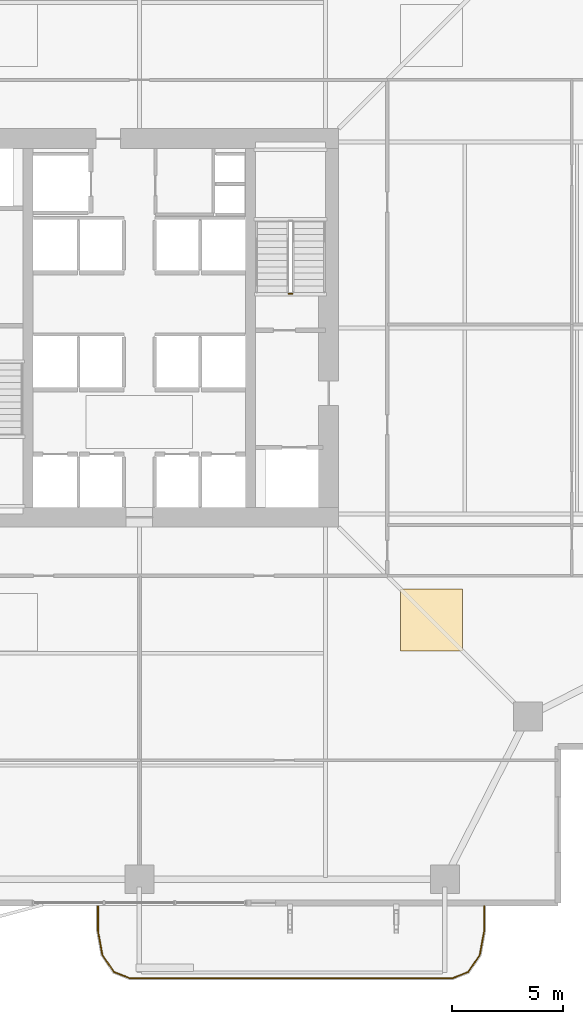
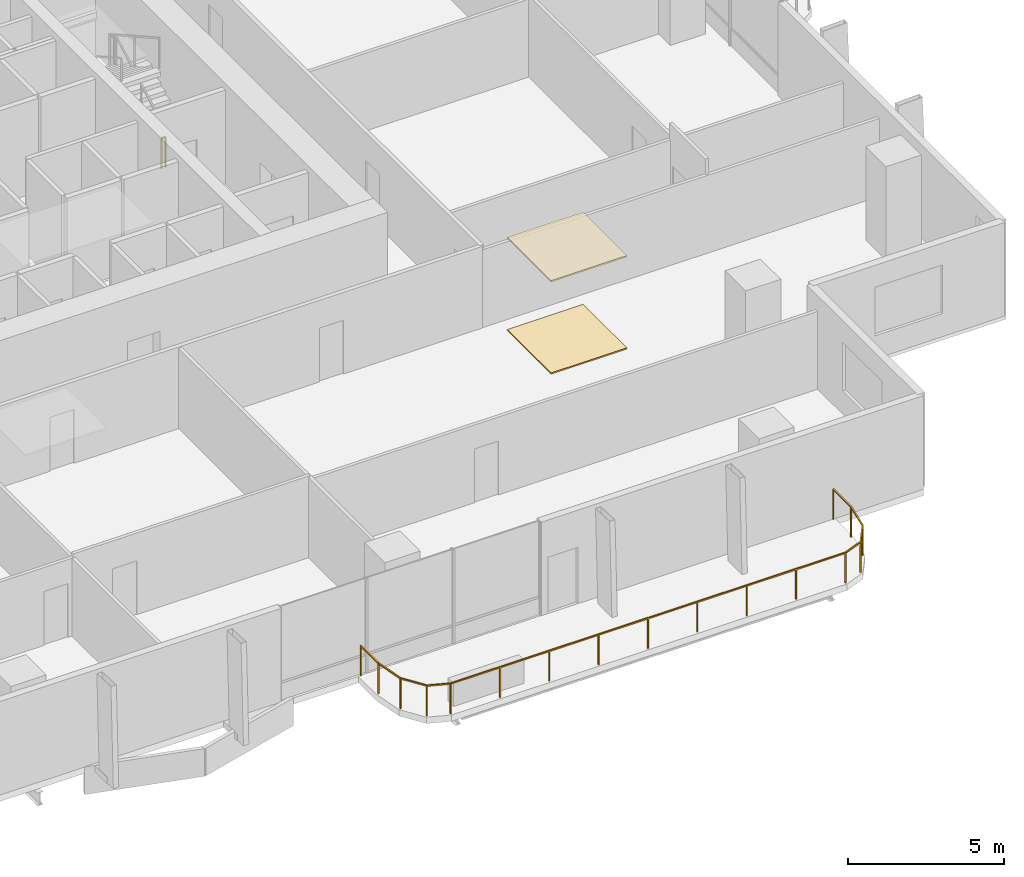
# One storey, part 22 of 24: 2 coverings, 2 railings.
"""IFC4 building model written with IfcOpenShell, lengths in metres."""

from ifc_helpers import new_model, si_unit, direction, frame, origin, origin_2d, place, context, subcontext, project, spatial, polyline, rectangle, outline, extrude, material, layer, layer_set, type_object, element, save


model = new_model("IFC4")

# Units and contexts
model_context = context("Model", 3, precision=1e-05, world=origin(), true_north=direction((0.0, 1.0)))
body_context = subcontext(model_context, "Body", "Model", "MODEL_VIEW")
ifc_project = project(units=[si_unit("LENGTHUNIT", "METRE"), si_unit("AREAUNIT", "SQUARE_METRE"), si_unit("VOLUMEUNIT", "CUBIC_METRE"), si_unit("PLANEANGLEUNIT", "RADIAN"), si_unit("MASSUNIT", "GRAM", prefix="KILO")], contexts=[model_context])

# Site, building, storey
site_placement = place(None, origin())
site = spatial("IfcSite", under=ifc_project, at=site_placement, CompositionType="ELEMENT")
building_placement = place(site_placement, origin())
building = spatial("IfcBuilding", under=site, at=building_placement, Name="Belovzor Exchange Tower", CompositionType="ELEMENT")
storey_placement = place(building_placement, frame((0.0, 0.0, 121.199951171875)))
storey = spatial("IfcBuildingStorey", under=building, at=storey_placement, Name="L29", CompositionType="ELEMENT", Elevation=121.199951171875)

# Railings
ifc_material_1 = material(Name="Stainless Steel and Laminated Safety Glass", Category="steel")
railing_type_1 = type_object("IfcRailingType", Name="Laminated Glass & Stainless Steel Balcony Balustrade 1200", PredefinedType="BALUSTRADE", material=ifc_material_1)
railing_1_placement = place(storey_placement, frame((26.929931640625, 2.68994140625, 0.0)))
element("IfcRailing", 1, at=railing_1_placement, inside=storey, type_object=railing_type_1, Name="GR-1 Balcony Balustrade L29 South", PredefinedType="BALUSTRADE", context=body_context, shape_type="SweptSolid", body=[
    extrude(rectangle(XDim=0.048095703125, YDim=0.048095703125, at=origin_2d()), frame((0.0, 0.0, 1.17578125), z_axis=(0.0, -1.0, 0.0), x_axis=(1.0, 0.0, 0.0)), (0.0, 0.0, 1.0), 1.133056640625),
    extrude(rectangle(XDim=0.048095703125, YDim=0.048095703125, at=origin_2d()), frame((0.0, -1.133056640625, 1.17578125), z_axis=(0.180122719713, -0.983644145941, 0.0), x_axis=(0.983644145941, 0.180122719713, 0.0)), (0.0, 0.0, 1.0), 1.09375),
    extrude(rectangle(XDim=0.048095703125, YDim=0.048095703125, at=origin_2d()), frame((0.197021484375, -2.208984375, 1.17578125), z_axis=(0.56294695933, -0.826493025367, 0.0), x_axis=(0.826493025367, 0.56294695933, 0.0)), (0.0, 0.0, 1.0), 0.932861328125),
    extrude(rectangle(XDim=0.048095703125, YDim=0.048095703125, at=origin_2d()), frame((0.72216796875, -2.97998046875, 1.17578125), z_axis=(0.930766990125, -0.365612923861, 0.0), x_axis=(0.365612923861, 0.930766990125, 0.0)), (0.0, 0.0, 1.0), 0.765869140625),
    extrude(rectangle(XDim=0.048095703125, YDim=0.048095703125, at=origin_2d()), frame((1.43505859375, -3.260009765625, 1.17578125), z_axis=(1.0, 0.0, 0.0), x_axis=(0.0, 1.0, 0.0)), (0.0, 0.0, 1.0), 14.570068359375),
    extrude(rectangle(XDim=0.048095703125, YDim=0.048095703125, at=origin_2d()), frame((16.005126953125, -3.260009765625, 1.17578125), z_axis=(0.930766990125, 0.365612923861, 0.0), x_axis=(-0.365612923861, 0.930766990125, 0.0)), (0.0, 0.0, 1.0), 0.765869140625),
    extrude(rectangle(XDim=0.048095703125, YDim=0.048095703125, at=origin_2d()), frame((16.718017578125, -2.97998046875, 1.17578125), z_axis=(0.56294695933, 0.826493025367, 0.0), x_axis=(-0.826493025367, 0.56294695933, 0.0)), (0.0, 0.0, 1.0), 0.932861328125),
    extrude(rectangle(XDim=0.048095703125, YDim=0.048095703125, at=origin_2d()), frame((17.2431640625, -2.208984375, 1.17578125), z_axis=(0.180122719713, 0.983644145941, 0.0), x_axis=(-0.983644145941, 0.180122719713, 0.0)), (0.0, 0.0, 1.0), 1.09375),
    extrude(rectangle(XDim=0.048095703125, YDim=0.048095703125, at=origin_2d()), frame((17.440185546875, -1.133056640625, 1.17578125), z_axis=(0.0, 1.0, 0.0), x_axis=(-1.0, 0.0, 0.0)), (0.0, 0.0, 1.0), 1.133056640625),
    extrude(rectangle(XDim=0.0419921875, YDim=0.0419921875, at=origin_2d()), origin(), (0.0, 0.0, 1.0), 1.15185546875),
    extrude(rectangle(XDim=0.0419921875, YDim=0.0419921875, at=origin_2d()), frame((0.0, -1.133056640625, 0.0)), (0.0, 0.0, 1.0), 1.15185546875),
    extrude(rectangle(XDim=0.0419921875, YDim=0.0419921875, at=origin_2d()), frame((0.197021484375, -2.208984375, 0.0)), (0.0, 0.0, 1.0), 1.15185546875),
    extrude(rectangle(XDim=0.0419921875, YDim=0.0419921875, at=origin_2d()), frame((0.72216796875, -2.97998046875, 0.0)), (0.0, 0.0, 1.0), 1.15185546875),
    extrude(rectangle(XDim=0.0419921875, YDim=0.0419921875, at=origin_2d()), frame((1.43505859375, -3.260009765625, 0.0)), (0.0, 0.0, 1.0), 1.15185546875),
    extrude(rectangle(XDim=0.0419921875, YDim=0.0419921875, at=origin_2d()), frame((3.25634765625, -3.260009765625, 0.0)), (0.0, 0.0, 1.0), 1.15185546875),
    extrude(rectangle(XDim=0.0419921875, YDim=0.0419921875, at=origin_2d()), frame((5.07763671875, -3.260009765625, 0.0)), (0.0, 0.0, 1.0), 1.15185546875),
    extrude(rectangle(XDim=0.0419921875, YDim=0.0419921875, at=origin_2d()), frame((6.89892578125, -3.260009765625, 0.0)), (0.0, 0.0, 1.0), 1.15185546875),
    extrude(rectangle(XDim=0.0419921875, YDim=0.0419921875, at=origin_2d()), frame((8.72021484375, -3.260009765625, 0.0)), (0.0, 0.0, 1.0), 1.15185546875),
    extrude(rectangle(XDim=0.0419921875, YDim=0.0419921875, at=origin_2d()), frame((10.541259765625, -3.260009765625, 0.0)), (0.0, 0.0, 1.0), 1.15185546875),
    extrude(rectangle(XDim=0.0419921875, YDim=0.0419921875, at=origin_2d()), frame((12.362548828125, -3.260009765625, 0.0)), (0.0, 0.0, 1.0), 1.15185546875),
    extrude(rectangle(XDim=0.0419921875, YDim=0.0419921875, at=origin_2d()), frame((14.183837890625, -3.260009765625, 0.0)), (0.0, 0.0, 1.0), 1.15185546875),
    extrude(rectangle(XDim=0.0419921875, YDim=0.0419921875, at=origin_2d()), frame((16.005126953125, -3.260009765625, 0.0)), (0.0, 0.0, 1.0), 1.15185546875),
    extrude(rectangle(XDim=0.0419921875, YDim=0.0419921875, at=origin_2d()), frame((16.718017578125, -2.97998046875, 0.0)), (0.0, 0.0, 1.0), 1.15185546875),
    extrude(rectangle(XDim=0.0419921875, YDim=0.0419921875, at=origin_2d()), frame((17.2431640625, -2.208984375, 0.0)), (0.0, 0.0, 1.0), 1.15185546875),
    extrude(rectangle(XDim=0.0419921875, YDim=0.0419921875, at=origin_2d()), frame((17.440185546875, -1.133056640625, 0.0)), (0.0, 0.0, 1.0), 1.15185546875),
    extrude(rectangle(XDim=0.0419921875, YDim=0.0419921875, at=origin_2d()), frame((17.440185546875, 0.0, 0.0)), (0.0, 0.0, 1.0), 1.15185546875),
])
ifc_material_2 = material(Name="Steel S355", Category="steel")
railing_type_2 = type_object("IfcRailingType", Name="Painted Steel Stairwell Guardrail 1200", PredefinedType="GUARDRAIL", material=ifc_material_2)
railing_2_placement = place(storey_placement, frame((35.699951171875, 30.35009765625, 0.0)))
element("IfcRailing", 2, at=railing_2_placement, inside=storey, type_object=railing_type_2, Name="L29 ST-2 stair guard 4", PredefinedType="GUARDRAIL", context=body_context, shape_type="SweptSolid", body=[
    extrude(rectangle(XDim=0.048095703125, YDim=0.048095703125, at=origin_2d()), frame((0.0, 0.0, 1.17578125), z_axis=(-1.0, 0.0, 0.0), x_axis=(0.0, -1.0, 0.0)), (0.0, 0.0, 1.0), 0.14990234375),
    extrude(rectangle(XDim=0.0419921875, YDim=0.0419921875, at=origin_2d()), origin(), (0.0, 0.0, 1.0), 1.15185546875),
    extrude(rectangle(XDim=0.0419921875, YDim=0.0419921875, at=origin_2d()), frame((-0.14990234375, 0.0, 0.0)), (0.0, 0.0, 1.0), 1.15185546875),
])

# Coverings
ifc_material_3 = material(Name="Perforated Powder-Coated Aluminium", Category="aluminium")
ifc_layer_1 = layer(ifc_material_3, 0.06005859375)
ifc_layer_set_1 = layer_set([ifc_layer_1], Name="Perforated Powder-Coated Aluminium")
covering_type_1 = type_object("IfcCoveringType", Name="Perforated Acoustic Metal Tile Suspended Ceiling 60", PredefinedType="CEILING", material=ifc_layer_set_1)
covering_1_placement = place(storey_placement, frame((0.0, 0.0, 3.590087890625)))
element("IfcCovering", 3, at=covering_1_placement, inside=storey, type_object=covering_type_1, Name="CLG-AC60 Suspended Ceiling CLG-L29-Z1", PredefinedType="CEILING", context=body_context, shape_type="SweptSolid", body=[
    extrude(outline(polyline([(40.60009765625, 14.199951171875), (43.39990234375, 14.199951171875), (43.39990234375, 17.0), (40.60009765625, 17.0), (40.60009765625, 14.199951171875)])), origin(), (0.0, 0.0, 1.0), 0.06005859375),
])
ifc_material_4 = material(Name="Polished Natural Granite Tile", Category="masonry")
ifc_layer_2 = layer(ifc_material_4, 0.050048828125)
ifc_layer_set_2 = layer_set([ifc_layer_2], Name="Polished Natural Granite Tile")
covering_type_2 = type_object("IfcCoveringType", Name="Polished Karelian Granite & Raised Access Floor Finish 50", PredefinedType="FLOORING", material=ifc_layer_set_2)
covering_2_placement = place(storey_placement, origin())
element("IfcCovering", 4, at=covering_2_placement, inside=storey, type_object=covering_type_2, Name="FLR-GR50 Floor Finish FLR-L29-Z1", PredefinedType="FLOORING", context=body_context, shape_type="SweptSolid", body=[
    extrude(outline(polyline([(40.60009765625, 14.199951171875), (43.39990234375, 14.199951171875), (43.39990234375, 17.0), (40.60009765625, 17.0), (40.60009765625, 14.199951171875)])), origin(), (0.0, 0.0, 1.0), 0.050048828125),
])

save(model, "model.ifc")
